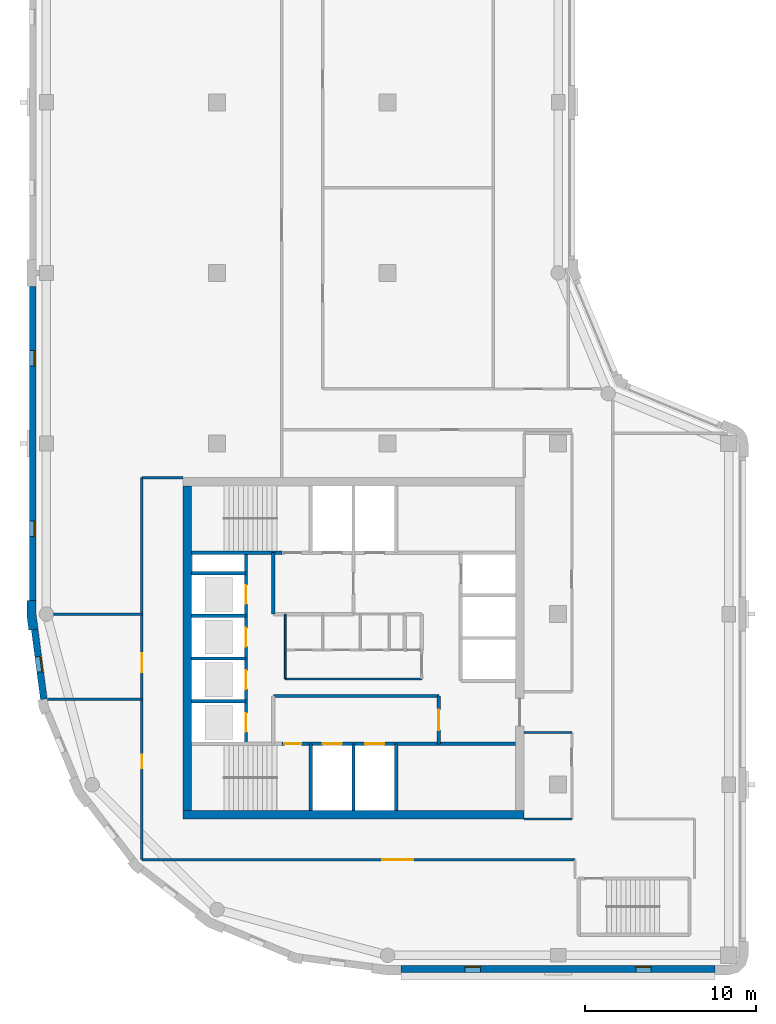
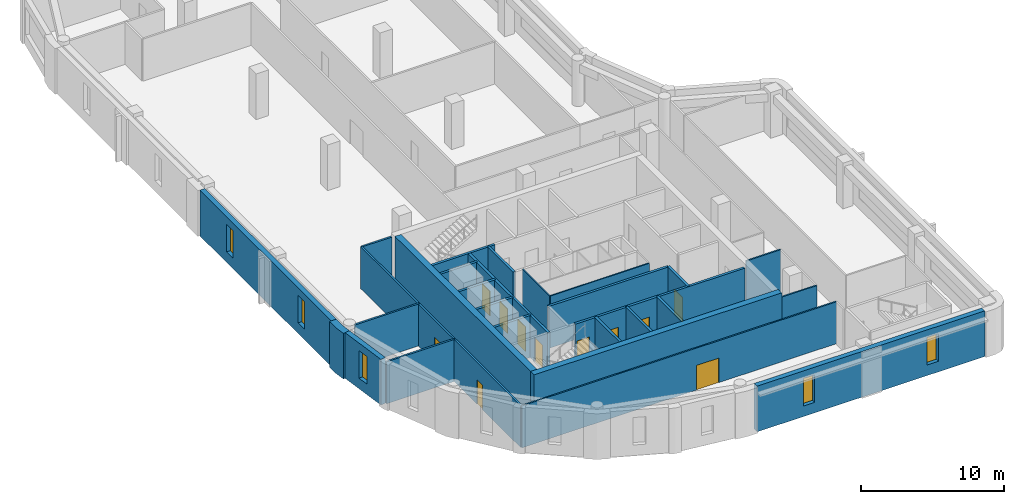
# One storey, part 2 of 8: 28 walls, 11 doors, 5 windows, 16 openings.
"""IFC4 building model written with IfcOpenShell, lengths in metres."""

from ifc_helpers import new_model, si_unit, direction, frame, frame_2d, origin, place, context, subcontext, project, spatial, polyline, rectangle, outline, extrude, material, layer, layer_set, type_object, element, fill, save


model = new_model("IFC4")

# Units and contexts
model_context = context("Model", 3, precision=1e-05, world=origin(), true_north=direction((0.0, 1.0)))
body_context = subcontext(model_context, "Body", "Model", "MODEL_VIEW")
ifc_project = project(units=[si_unit("LENGTHUNIT", "METRE"), si_unit("AREAUNIT", "SQUARE_METRE"), si_unit("VOLUMEUNIT", "CUBIC_METRE"), si_unit("PLANEANGLEUNIT", "RADIAN"), si_unit("MASSUNIT", "GRAM", prefix="KILO")], contexts=[model_context])

# Site, building, storey
site_placement = place(None, origin())
site = spatial("IfcSite", under=ifc_project, at=site_placement, CompositionType="ELEMENT")
building_placement = place(site_placement, origin())
building = spatial("IfcBuilding", under=site, at=building_placement, Name="Qaws Garden Tower", CompositionType="ELEMENT")
storey_placement = place(building_placement, frame((0.0, 0.0, 341.10009765625)))
storey = spatial("IfcBuildingStorey", under=building, at=storey_placement, Name="L83", CompositionType="ELEMENT", Elevation=341.10009765625)

# Wall, openings, windows
ifc_material_1 = material(Name="Clay facing brick masonry", Category="masonry")
ifc_layer_1 = layer(ifc_material_1, 0.39990234375)
ifc_layer_set_1 = layer_set([ifc_layer_1], Name="Clay facing brick masonry")
wall_type_1 = type_object("IfcWallType", Name="Brick infill wall 400", PredefinedType="SOLIDWALL", material=ifc_layer_set_1)
wall_1_placement = place(storey_placement, frame((20.800048828125, -0.800048828125, 0.0), z_axis=(0.0, 0.0, 1.0), x_axis=(1.0, 0.0, 0.0)))
wall_1 = element("IfcWall", 1, at=wall_1_placement, inside=storey, type_object=wall_type_1, Name="E-L83-infill-00", PredefinedType="SOLIDWALL", context=body_context, shape_type="SweptSolid", body=[
    extrude(rectangle(XDim=18.39990234375, YDim=0.39990234375, at=frame_2d((9.199951171875, 0.0))), origin(), (0.0, 0.0, 1.0), 3.89990234375),
])
opening_1_placement = place(wall_1_placement, frame((3.75, 0.0, 0.89990234375)))
opening_1 = element("IfcOpeningElement", 2, at=opening_1_placement, cuts=wall_1, Name="Opening W09", PredefinedType="OPENING", context=body_context, shape_type="SweptSolid", body=[
    extrude(rectangle(XDim=0.89990234375, YDim=2.35009765625, at=frame_2d((0.449951171875, 1.175048828125))), frame((0.0, 0.2099609375, 0.0), z_axis=(0.0, -1.0, 0.0), x_axis=(1.0, 0.0, 0.0)), (0.0, 0.0, 1.0), 0.419921875),
])
opening_2_placement = place(wall_1_placement, frame((13.75, 0.0, 0.89990234375)))
opening_2 = element("IfcOpeningElement", 3, at=opening_2_placement, cuts=wall_1, Name="Opening W09", PredefinedType="OPENING", context=body_context, shape_type="SweptSolid", body=[
    extrude(rectangle(XDim=0.89990234375, YDim=2.35009765625, at=frame_2d((0.449951171875, 1.175048828125))), frame((0.0, 0.2099609375, 0.0), z_axis=(0.0, -1.0, 0.0), x_axis=(1.0, 0.0, 0.0)), (0.0, 0.0, 1.0), 0.419921875),
])
ifc_material_2 = material(Name="Aluminium framed window, clear glazing", Category="aluminium")
window_type = type_object("IfcWindowType", Name="Slit window 900 x 2350", PartitioningType="SINGLE_PANEL", PredefinedType="WINDOW", material=ifc_material_2)
window_1_placement = place(opening_1_placement, origin())
window_1 = element("IfcWindow", 4, at=window_1_placement, inside=storey, type_object=window_type, Name="E-L83-window-00-0", OverallHeight=2.35009765625, OverallWidth=0.89990234375, PartitioningType="SINGLE_PANEL", PredefinedType="WINDOW", context=body_context, shape_type="SweptSolid", body=[
    extrude(rectangle(XDim=0.89990234375, YDim=2.35009765625, at=frame_2d((0.449951171875, 1.175048828125))), frame((0.0, 0.159912109375, 0.0), z_axis=(0.0, -1.0, 0.0), x_axis=(1.0, 0.0, 0.0)), (0.0, 0.0, 1.0), 0.06005859375),
])
fill(opening_1, window_1)
window_2_placement = place(opening_2_placement, origin())
window_2 = element("IfcWindow", 5, at=window_2_placement, inside=storey, type_object=window_type, Name="E-L83-window-01-0", OverallHeight=2.35009765625, OverallWidth=0.89990234375, PartitioningType="SINGLE_PANEL", PredefinedType="WINDOW", context=body_context, shape_type="SweptSolid", body=[
    extrude(rectangle(XDim=0.89990234375, YDim=2.35009765625, at=frame_2d((0.449951171875, 1.175048828125))), frame((0.0, 0.159912109375, 0.0), z_axis=(0.0, -1.0, 0.0), x_axis=(1.0, 0.0, 0.0)), (0.0, 0.0, 1.0), 0.06005859375),
])
fill(opening_2, window_2)

wall_2_placement = place(storey_placement, frame((-0.800048828125, 39.199951171875, 0.0), z_axis=(0.0, 0.0, 1.0), x_axis=(0.0, -1.0, 0.0)))
wall_2 = element("IfcWall", 6, at=wall_2_placement, inside=storey, type_object=wall_type_1, Name="E-L83-infill-19", PredefinedType="SOLIDWALL", context=body_context, shape_type="SweptSolid", body=[
    extrude(rectangle(XDim=18.39990234375, YDim=0.39990234375, at=frame_2d((9.199951171875, 0.0))), origin(), (0.0, 0.0, 1.0), 3.89990234375),
])
opening_3_placement = place(wall_2_placement, frame((3.75, 0.0, 0.89990234375)))
opening_3 = element("IfcOpeningElement", 7, at=opening_3_placement, cuts=wall_2, Name="Opening W09", PredefinedType="OPENING", context=body_context, shape_type="SweptSolid", body=[
    extrude(rectangle(XDim=0.89990234375, YDim=2.35009765625, at=frame_2d((0.449951171875, 1.175048828125))), frame((0.0, 0.2099609375, 0.0), z_axis=(0.0, -1.0, 0.0), x_axis=(1.0, 0.0, 0.0)), (0.0, 0.0, 1.0), 0.419921875),
])
opening_4_placement = place(wall_2_placement, frame((13.75, 0.0, 0.89990234375)))
opening_4 = element("IfcOpeningElement", 8, at=opening_4_placement, cuts=wall_2, Name="Opening W09", PredefinedType="OPENING", context=body_context, shape_type="SweptSolid", body=[
    extrude(rectangle(XDim=0.89990234375, YDim=2.35009765625, at=frame_2d((0.449951171875, 1.175048828125))), frame((0.0, 0.2099609375, 0.0), z_axis=(0.0, -1.0, 0.0), x_axis=(1.0, 0.0, 0.0)), (0.0, 0.0, 1.0), 0.419921875),
])
window_3_placement = place(opening_3_placement, origin())
window_3 = element("IfcWindow", 9, at=window_3_placement, inside=storey, type_object=window_type, Name="E-L83-window-19-0", OverallHeight=2.35009765625, OverallWidth=0.89990234375, PartitioningType="SINGLE_PANEL", PredefinedType="WINDOW", context=body_context, shape_type="SweptSolid", body=[
    extrude(rectangle(XDim=0.89990234375, YDim=2.35009765625, at=frame_2d((0.449951171875, 1.175048828125))), frame((0.0, 0.159912109375, 0.0), z_axis=(0.0, -1.0, 0.0), x_axis=(1.0, 0.0, 0.0)), (0.0, 0.0, 1.0), 0.06005859375),
])
fill(opening_3, window_3)
window_4_placement = place(opening_4_placement, origin())
window_4 = element("IfcWindow", 10, at=window_4_placement, inside=storey, type_object=window_type, Name="E-L83-window-20-0", OverallHeight=2.35009765625, OverallWidth=0.89990234375, PartitioningType="SINGLE_PANEL", PredefinedType="WINDOW", context=body_context, shape_type="SweptSolid", body=[
    extrude(rectangle(XDim=0.89990234375, YDim=2.35009765625, at=frame_2d((0.449951171875, 1.175048828125))), frame((0.0, 0.159912109375, 0.0), z_axis=(0.0, -1.0, 0.0), x_axis=(1.0, 0.0, 0.0)), (0.0, 0.0, 1.0), 0.06005859375),
])
fill(opening_4, window_4)

# Wall, opening, window
wall_3_placement = place(storey_placement, frame((-0.688720703125, 19.102294921875, 0.0), z_axis=(0.0, 0.0, 1.0), x_axis=(0.130514280502, -0.991446429508, 0.0)))
wall_3 = element("IfcWall", 11, at=wall_3_placement, inside=storey, type_object=wall_type_1, Name="E-L83-infill-21", PredefinedType="SOLIDWALL", context=body_context, shape_type="SweptSolid", body=[
    extrude(rectangle(XDim=4.120849609375, YDim=0.39990234375, at=frame_2d((2.060546875, 0.0))), origin(), (0.0, 0.0, 1.0), 3.89990234375),
])
opening_5_placement = place(wall_3_placement, frame((1.610595703125, 0.0, 0.89990234375)))
opening_5 = element("IfcOpeningElement", 12, at=opening_5_placement, cuts=wall_3, Name="Opening W09", PredefinedType="OPENING", context=body_context, shape_type="SweptSolid", body=[
    extrude(rectangle(XDim=0.89990234375, YDim=2.35009765625, at=frame_2d((0.449951171875, 1.175048828125))), frame((0.0, 0.2099609375, 0.0), z_axis=(0.0, -1.0, 0.0), x_axis=(1.0, 0.0, 0.0)), (0.0, 0.0, 1.0), 0.419921875),
])
window_5_placement = place(opening_5_placement, origin())
window_5 = element("IfcWindow", 13, at=window_5_placement, inside=storey, type_object=window_type, Name="E-L83-window-21-0", OverallHeight=2.35009765625, OverallWidth=0.89990234375, PartitioningType="SINGLE_PANEL", PredefinedType="WINDOW", context=body_context, shape_type="SweptSolid", body=[
    extrude(rectangle(XDim=0.89990234375, YDim=2.35009765625, at=frame_2d((0.449951171875, 1.175048828125))), frame((0.0, 0.159912109375, 0.0), z_axis=(0.0, -1.0, 0.0), x_axis=(1.0, 0.0, 0.0)), (0.0, 0.0, 1.0), 0.06005859375),
])
fill(opening_5, window_5)

# Walls
ifc_material_3 = material(Name="Clay facing brick masonry", Category="masonry")
ifc_layer_2 = layer(ifc_material_3, 0.550048828125)
ifc_layer_set_2 = layer_set([ifc_layer_2], Name="Clay facing brick masonry")
wall_type_2 = type_object("IfcWallType", Name="Brick pier 550 x 1600", PredefinedType="SOLIDWALL", material=ifc_layer_set_2)
wall_4_placement = place(storey_placement, origin())
element("IfcWall", 14, at=wall_4_placement, inside=storey, type_object=wall_type_2, Name="E-L83-pier-21", PredefinedType="SOLIDWALL", context=body_context, shape_type="SweptSolid", body=[
    extrude(outline(polyline([(-1.0, 20.800048828125), (-1.14990234375, 20.800048828125), (-1.14990234375, 19.924560546875), (-1.03564453125, 19.056640625), (-0.886962890625, 19.076416015625), (-0.490478515625, 19.12841796875), (-0.60009765625, 19.960693359375), (-0.60009765625, 20.800048828125), (-1.0, 20.800048828125)])), origin(), (0.0, 0.0, 1.0), 3.89990234375),
])
ifc_material_4 = material(Name="Plasterboard")
ifc_layer_3 = layer(ifc_material_4, 0.10009765625)
ifc_layer_set_3 = layer_set([ifc_layer_3], Name="Plasterboard")
wall_type_3 = type_object("IfcWallType", Name="Core partition 100", PredefinedType="PARTITIONING", material=ifc_layer_set_3)
wall_5_placement = place(storey_placement, frame((14.0, 16.199951171875, 0.0), z_axis=(0.0, 0.0, 1.0), x_axis=(1.0, 0.0, 0.0)))
element("IfcWall", 15, at=wall_5_placement, inside=storey, type_object=wall_type_3, Name="Core partition", PredefinedType="PARTITIONING", context=body_context, shape_type="SweptSolid", body=[
    extrude(rectangle(XDim=8.0, YDim=0.10009765625, at=frame_2d((4.0, 0.0))), origin(), (0.0, 0.0, 1.0), 3.579833984375),
])
wall_6_placement = place(storey_placement, frame((14.0, 16.199951171875, 0.0), z_axis=(0.0, 0.0, 1.0), x_axis=(0.0, 1.0, 0.0)))
element("IfcWall", 16, at=wall_6_placement, inside=storey, type_object=wall_type_3, Name="Core partition", PredefinedType="PARTITIONING", context=body_context, shape_type="SweptSolid", body=[
    extrude(rectangle(XDim=3.800048828125, YDim=0.10009765625, at=frame_2d((1.89990234375, 0.0))), origin(), (0.0, 0.0, 1.0), 3.579833984375),
])

# Wall, openings, doors
ifc_material_5 = material(Name="Concrete C60", Category="concrete")
ifc_layer_4 = layer(ifc_material_5, 0.199951171875)
ifc_layer_set_4 = layer_set([ifc_layer_4], Name="Concrete C60")
wall_type_4 = type_object("IfcWallType", Name="Core shaft wall 200 C60", PredefinedType="SHEAR", material=ifc_layer_set_4)
wall_7_placement = place(storey_placement, frame((13.800048828125, 12.39990234375, 0.0), z_axis=(0.0, 0.0, 1.0), x_axis=(1.0, 0.0, 0.0)))
wall_7 = element("IfcWall", 17, at=wall_7_placement, inside=storey, type_object=wall_type_4, Name="Shaft wall", PredefinedType="SHEAR", context=body_context, shape_type="SweptSolid", body=[
    extrude(rectangle(XDim=13.699951171875, YDim=0.199951171875, at=frame_2d((6.85009765625, 0.0))), origin(), (0.0, 0.0, 1.0), 3.579833984375),
])
opening_6_placement = place(wall_7_placement, frame((2.39990234375, 0.0, 0.0)))
opening_6 = element("IfcOpeningElement", 18, at=opening_6_placement, cuts=wall_7, Name="Opening LD06", PredefinedType="OPENING", context=body_context, shape_type="SweptSolid", body=[
    extrude(rectangle(XDim=1.10009765625, YDim=2.10009765625, at=frame_2d((0.550048828125, 1.050048828125))), frame((0.0, 0.10986328125, 0.0), z_axis=(0.0, -1.0, 0.0), x_axis=(1.0, 0.0, 0.0)), (0.0, 0.0, 1.0), 0.219970703125),
])
opening_7_placement = place(wall_7_placement, frame((4.89990234375, 0.0, 0.0)))
opening_7 = element("IfcOpeningElement", 19, at=opening_7_placement, cuts=wall_7, Name="Opening LD07", PredefinedType="OPENING", context=body_context, shape_type="SweptSolid", body=[
    extrude(rectangle(XDim=1.10009765625, YDim=2.10009765625, at=frame_2d((0.550048828125, 1.050048828125))), frame((0.0, 0.10986328125, 0.0), z_axis=(0.0, -1.0, 0.0), x_axis=(1.0, 0.0, 0.0)), (0.0, 0.0, 1.0), 0.219970703125),
])
opening_8_placement = place(wall_7_placement, frame((0.14990234375, 0.0, 0.0)))
opening_8 = element("IfcOpeningElement", 20, at=opening_8_placement, cuts=wall_7, Name="Opening SD10", PredefinedType="OPENING", context=body_context, shape_type="SweptSolid", body=[
    extrude(rectangle(XDim=1.0, YDim=2.10009765625, at=frame_2d((0.5, 1.050048828125))), frame((0.0, 0.10986328125, 0.0), z_axis=(0.0, -1.0, 0.0), x_axis=(1.0, 0.0, 0.0)), (0.0, 0.0, 1.0), 0.219970703125),
])
ifc_material_6 = material(Name="Steel S235", Category="steel")
door_type_1 = type_object("IfcDoorType", Name="Landing door 1100x2100", OperationType="DOUBLE_DOOR_SLIDING", PredefinedType="DOOR", material=ifc_material_6)
door_1_placement = place(opening_6_placement, origin())
door_1 = element("IfcDoor", 21, at=door_1_placement, inside=storey, type_object=door_type_1, Name="Lift FF1 landing door", OperationType="DOUBLE_DOOR_SLIDING", OverallHeight=2.10009765625, OverallWidth=1.10009765625, PredefinedType="DOOR", context=body_context, shape_type="SweptSolid", body=[
    extrude(rectangle(XDim=1.10009765625, YDim=2.10009765625, at=frame_2d((0.550048828125, 1.050048828125))), frame((0.0, 0.02490234375, 0.0), z_axis=(0.0, -1.0, 0.0), x_axis=(1.0, 0.0, 0.0)), (0.0, 0.0, 1.0), 0.050048828125),
])
fill(opening_6, door_1)
door_2_placement = place(opening_7_placement, origin())
door_2 = element("IfcDoor", 22, at=door_2_placement, inside=storey, type_object=door_type_1, Name="Lift FF2 landing door", OperationType="DOUBLE_DOOR_SLIDING", OverallHeight=2.10009765625, OverallWidth=1.10009765625, PredefinedType="DOOR", context=body_context, shape_type="SweptSolid", body=[
    extrude(rectangle(XDim=1.10009765625, YDim=2.10009765625, at=frame_2d((0.550048828125, 1.050048828125))), frame((0.0, 0.02490234375, 0.0), z_axis=(0.0, -1.0, 0.0), x_axis=(1.0, 0.0, 0.0)), (0.0, 0.0, 1.0), 0.050048828125),
])
fill(opening_7, door_2)
ifc_material_7 = material(Name="Steel S235", Category="steel")
door_type_2 = type_object("IfcDoorType", Name="Stair door 1000x2100", OperationType="SINGLE_SWING_RIGHT", PredefinedType="DOOR", material=ifc_material_7)
door_3_placement = place(opening_8_placement, frame((1.0, 0.0, 0.0), z_axis=(0.0, 0.0, 1.0), x_axis=(-1.0, 0.0, 0.0)))
door_3 = element("IfcDoor", 23, at=door_3_placement, inside=storey, type_object=door_type_2, Name="Stair 1 door", OperationType="SINGLE_SWING_LEFT", OverallHeight=2.10009765625, OverallWidth=1.0, PredefinedType="DOOR", context=body_context, shape_type="SweptSolid", body=[
    extrude(rectangle(XDim=1.0, YDim=2.10009765625, at=frame_2d((0.5, 1.050048828125))), frame((0.0, 0.02490234375, 0.0), z_axis=(0.0, -1.0, 0.0), x_axis=(1.0, 0.0, 0.0)), (0.0, 0.0, 1.0), 0.050048828125),
])
fill(opening_8, door_3)

# Walls
wall_8_placement = place(storey_placement, frame((8.5, 14.89990234375, 0.0), z_axis=(0.0, 0.0, 1.0), x_axis=(1.0, 0.0, 0.0)))
element("IfcWall", 24, at=wall_8_placement, inside=storey, type_object=wall_type_4, Name="Shaft wall", PredefinedType="SHEAR", context=body_context, shape_type="SweptSolid", body=[
    extrude(rectangle(XDim=3.199951171875, YDim=0.199951171875, at=frame_2d((1.60009765625, 0.0))), origin(), (0.0, 0.0, 1.0), 3.579833984375),
])
wall_9_placement = place(storey_placement, frame((13.300048828125, 15.199951171875, 0.0), z_axis=(0.0, 0.0, 1.0), x_axis=(1.0, 0.0, 0.0)))
element("IfcWall", 25, at=wall_9_placement, inside=storey, type_object=wall_type_4, Name="Shaft wall", PredefinedType="SHEAR", context=body_context, shape_type="SweptSolid", body=[
    extrude(rectangle(XDim=9.699951171875, YDim=0.199951171875, at=frame_2d((4.85009765625, 0.0))), origin(), (0.0, 0.0, 1.0), 3.579833984375),
])
for number, where, z_axis, x_axis, name in (
    (26, (8.5, 17.39990234375, 0.0), (0.0, 0.0, 1.0), (1.0, 0.0, 0.0), "Shaft wall"),
    (27, (8.5, 19.89990234375, 0.0), (0.0, 0.0, 1.0), (1.0, 0.0, 0.0), "Shaft wall"),
    (28, (8.5, 22.39990234375, 0.0), (0.0, 0.0, 1.0), (1.0, 0.0, 0.0), "Shaft wall"),
):
    element("IfcWall", number, at=place(storey_placement, frame(where, z_axis=z_axis, x_axis=x_axis)), inside=storey, type_object=wall_type_4, Name=name, PredefinedType="SHEAR", context=body_context, shape_type="SweptSolid", body=[
        extrude(rectangle(XDim=3.199951171875, YDim=0.199951171875, at=frame_2d((1.60009765625, 0.0))), origin(), (0.0, 0.0, 1.0), 3.579833984375),
    ])
wall_10_placement = place(storey_placement, frame((8.5, 23.60009765625, 0.0), z_axis=(0.0, 0.0, 1.0), x_axis=(1.0, 0.0, 0.0)))
element("IfcWall", 29, at=wall_10_placement, inside=storey, type_object=wall_type_4, Name="Shaft wall", PredefinedType="SHEAR", context=body_context, shape_type="SweptSolid", body=[
    extrude(rectangle(XDim=5.300048828125, YDim=0.199951171875, at=frame_2d((2.64990234375, 0.0))), origin(), (0.0, 0.0, 1.0), 3.579833984375),
])

# Wall, openings, doors
wall_11_placement = place(storey_placement, frame((11.699951171875, 12.39990234375, 0.0), z_axis=(0.0, 0.0, 1.0), x_axis=(0.0, 1.0, 0.0)))
wall_11 = element("IfcWall", 30, at=wall_11_placement, inside=storey, type_object=wall_type_4, Name="Shaft wall", PredefinedType="SHEAR", context=body_context, shape_type="SweptSolid", body=[
    extrude(rectangle(XDim=11.2001953125, YDim=0.199951171875, at=frame_2d((5.60009765625, 0.0))), origin(), (0.0, 0.0, 1.0), 3.579833984375),
])
opening_9_placement = place(wall_11_placement, frame((0.699951171875, 0.0, 0.0)))
opening_9 = element("IfcOpeningElement", 31, at=opening_9_placement, cuts=wall_11, Name="Opening LD01", PredefinedType="OPENING", context=body_context, shape_type="SweptSolid", body=[
    extrude(rectangle(XDim=1.10009765625, YDim=2.10009765625, at=frame_2d((0.550048828125, 1.050048828125))), frame((0.0, 0.10986328125, 0.0), z_axis=(0.0, -1.0, 0.0), x_axis=(1.0, 0.0, 0.0)), (0.0, 0.0, 1.0), 0.219970703125),
])
opening_10_placement = place(wall_11_placement, frame((3.199951171875, 0.0, 0.0)))
opening_10 = element("IfcOpeningElement", 32, at=opening_10_placement, cuts=wall_11, Name="Opening LD02", PredefinedType="OPENING", context=body_context, shape_type="SweptSolid", body=[
    extrude(rectangle(XDim=1.10009765625, YDim=2.10009765625, at=frame_2d((0.550048828125, 1.050048828125))), frame((0.0, 0.10986328125, 0.0), z_axis=(0.0, -1.0, 0.0), x_axis=(1.0, 0.0, 0.0)), (0.0, 0.0, 1.0), 0.219970703125),
])
opening_11_placement = place(wall_11_placement, frame((5.699951171875, 0.0, 0.0)))
opening_11 = element("IfcOpeningElement", 33, at=opening_11_placement, cuts=wall_11, Name="Opening LD03", PredefinedType="OPENING", context=body_context, shape_type="SweptSolid", body=[
    extrude(rectangle(XDim=1.10009765625, YDim=2.10009765625, at=frame_2d((0.550048828125, 1.050048828125))), frame((0.0, 0.10986328125, 0.0), z_axis=(0.0, -1.0, 0.0), x_axis=(1.0, 0.0, 0.0)), (0.0, 0.0, 1.0), 0.219970703125),
])
opening_12_placement = place(wall_11_placement, frame((8.199951171875, 0.0, 0.0)))
opening_12 = element("IfcOpeningElement", 34, at=opening_12_placement, cuts=wall_11, Name="Opening LD04", PredefinedType="OPENING", context=body_context, shape_type="SweptSolid", body=[
    extrude(rectangle(XDim=1.10009765625, YDim=2.10009765625, at=frame_2d((0.550048828125, 1.050048828125))), frame((0.0, 0.10986328125, 0.0), z_axis=(0.0, -1.0, 0.0), x_axis=(1.0, 0.0, 0.0)), (0.0, 0.0, 1.0), 0.219970703125),
])
door_4_placement = place(opening_9_placement, origin())
door_4 = element("IfcDoor", 35, at=door_4_placement, inside=storey, type_object=door_type_1, Name="Lift W1 landing door", OperationType="DOUBLE_DOOR_SLIDING", OverallHeight=2.10009765625, OverallWidth=1.10009765625, PredefinedType="DOOR", context=body_context, shape_type="SweptSolid", body=[
    extrude(rectangle(XDim=1.10009765625, YDim=2.10009765625, at=frame_2d((0.550048828125, 1.050048828125))), frame((0.0, 0.02490234375, 0.0), z_axis=(0.0, -1.0, 0.0), x_axis=(1.0, 0.0, 0.0)), (0.0, 0.0, 1.0), 0.050048828125),
])
fill(opening_9, door_4)
door_5_placement = place(opening_10_placement, origin())
door_5 = element("IfcDoor", 36, at=door_5_placement, inside=storey, type_object=door_type_1, Name="Lift W2 landing door", OperationType="DOUBLE_DOOR_SLIDING", OverallHeight=2.10009765625, OverallWidth=1.10009765625, PredefinedType="DOOR", context=body_context, shape_type="SweptSolid", body=[
    extrude(rectangle(XDim=1.10009765625, YDim=2.10009765625, at=frame_2d((0.550048828125, 1.050048828125))), frame((0.0, 0.02490234375, 0.0), z_axis=(0.0, -1.0, 0.0), x_axis=(1.0, 0.0, 0.0)), (0.0, 0.0, 1.0), 0.050048828125),
])
fill(opening_10, door_5)
door_6_placement = place(opening_11_placement, origin())
door_6 = element("IfcDoor", 37, at=door_6_placement, inside=storey, type_object=door_type_1, Name="Lift W3 landing door", OperationType="DOUBLE_DOOR_SLIDING", OverallHeight=2.10009765625, OverallWidth=1.10009765625, PredefinedType="DOOR", context=body_context, shape_type="SweptSolid", body=[
    extrude(rectangle(XDim=1.10009765625, YDim=2.10009765625, at=frame_2d((0.550048828125, 1.050048828125))), frame((0.0, 0.02490234375, 0.0), z_axis=(0.0, -1.0, 0.0), x_axis=(1.0, 0.0, 0.0)), (0.0, 0.0, 1.0), 0.050048828125),
])
fill(opening_11, door_6)
door_7_placement = place(opening_12_placement, origin())
door_7 = element("IfcDoor", 38, at=door_7_placement, inside=storey, type_object=door_type_1, Name="Lift W4 landing door", OperationType="DOUBLE_DOOR_SLIDING", OverallHeight=2.10009765625, OverallWidth=1.10009765625, PredefinedType="DOOR", context=body_context, shape_type="SweptSolid", body=[
    extrude(rectangle(XDim=1.10009765625, YDim=2.10009765625, at=frame_2d((0.550048828125, 1.050048828125))), frame((0.0, 0.02490234375, 0.0), z_axis=(0.0, -1.0, 0.0), x_axis=(1.0, 0.0, 0.0)), (0.0, 0.0, 1.0), 0.050048828125),
])
fill(opening_12, door_7)

# Walls
wall_12_placement = place(storey_placement, frame((13.300048828125, 20.0, 0.0), z_axis=(0.0, 0.0, 1.0), x_axis=(0.0, 1.0, 0.0)))
element("IfcWall", 39, at=wall_12_placement, inside=storey, type_object=wall_type_4, Name="Shaft wall", PredefinedType="SHEAR", context=body_context, shape_type="SweptSolid", body=[
    extrude(rectangle(XDim=3.60009765625, YDim=0.199951171875, at=frame_2d((1.800048828125, 0.0))), origin(), (0.0, 0.0, 1.0), 3.579833984375),
])
for number, where, z_axis, x_axis, name in (
    (40, (15.5, 8.5, 0.0), (0.0, 0.0, 1.0), (0.0, 1.0, 0.0), "Shaft wall"),
    (41, (18.0, 8.5, 0.0), (0.0, 0.0, 1.0), (0.0, 1.0, 0.0), "Shaft wall"),
    (42, (20.5, 8.5, 0.0), (0.0, 0.0, 1.0), (0.0, 1.0, 0.0), "Shaft wall"),
):
    element("IfcWall", number, at=place(storey_placement, frame(where, z_axis=z_axis, x_axis=x_axis)), inside=storey, type_object=wall_type_4, Name=name, PredefinedType="SHEAR", context=body_context, shape_type="SweptSolid", body=[
        extrude(rectangle(XDim=3.89990234375, YDim=0.199951171875, at=frame_2d((1.949951171875, 0.0))), origin(), (0.0, 0.0, 1.0), 3.579833984375),
    ])

# Wall, opening, door
wall_13_placement = place(storey_placement, frame((23.0, 12.39990234375, 0.0), z_axis=(0.0, 0.0, 1.0), x_axis=(0.0, 1.0, 0.0)))
wall_13 = element("IfcWall", 43, at=wall_13_placement, inside=storey, type_object=wall_type_4, Name="Shaft wall", PredefinedType="SHEAR", context=body_context, shape_type="SweptSolid", body=[
    extrude(rectangle(XDim=2.800048828125, YDim=0.199951171875, at=frame_2d((1.39990234375, 0.0))), origin(), (0.0, 0.0, 1.0), 3.579833984375),
])
opening_13_placement = place(wall_13_placement, frame((0.800048828125, 0.0, 0.0)))
opening_13 = element("IfcOpeningElement", 44, at=opening_13_placement, cuts=wall_13, Name="Opening FD15", PredefinedType="OPENING", context=body_context, shape_type="SweptSolid", body=[
    extrude(rectangle(XDim=1.199951171875, YDim=2.10009765625, at=frame_2d((0.60009765625, 1.050048828125))), frame((0.0, 0.10986328125, 0.0), z_axis=(0.0, -1.0, 0.0), x_axis=(1.0, 0.0, 0.0)), (0.0, 0.0, 1.0), 0.219970703125),
])
ifc_material_8 = material(Name="Steel S235", Category="steel")
door_type_3 = type_object("IfcDoorType", Name="Lobby door 1200x2100", OperationType="DOUBLE_DOOR_SINGLE_SWING", PredefinedType="DOOR", material=ifc_material_8)
door_8_placement = place(opening_13_placement, origin())
door_8 = element("IfcDoor", 45, at=door_8_placement, inside=storey, type_object=door_type_3, Name="Fire-fighting lobby door", OperationType="DOUBLE_DOOR_SINGLE_SWING", OverallHeight=2.10009765625, OverallWidth=1.199951171875, PredefinedType="DOOR", context=body_context, shape_type="SweptSolid", body=[
    extrude(rectangle(XDim=1.199951171875, YDim=2.10009765625, at=frame_2d((0.60009765625, 1.050048828125))), frame((0.0, 0.02490234375, 0.0), z_axis=(0.0, -1.0, 0.0), x_axis=(1.0, 0.0, 0.0)), (0.0, 0.0, 1.0), 0.050048828125),
])
fill(opening_13, door_8)

# Walls
ifc_material_9 = material(Name="Concrete C60", Category="concrete")
ifc_layer_5 = layer(ifc_material_9, 0.5)
ifc_layer_set_5 = layer_set([ifc_layer_5], Name="Concrete C60")
wall_type_5 = type_object("IfcWallType", Name="Core wall 500 C60", PredefinedType="SHEAR", material=ifc_layer_set_5)
wall_14_placement = place(storey_placement, frame((8.0, 8.25, 0.0), z_axis=(0.0, 0.0, 1.0), x_axis=(1.0, 0.0, 0.0)))
element("IfcWall", 46, at=wall_14_placement, inside=storey, type_object=wall_type_5, Name="Core wall L83 south", PredefinedType="SHEAR", context=body_context, shape_type="SweptSolid", body=[
    extrude(rectangle(XDim=20.0, YDim=0.5, at=frame_2d((10.0, 0.0))), origin(), (0.0, 0.0, 1.0), 3.89990234375),
])
wall_15_placement = place(storey_placement, frame((8.25, 27.5, 0.0), z_axis=(0.0, 0.0, 1.0), x_axis=(0.0, -1.0, 0.0)))
element("IfcWall", 47, at=wall_15_placement, inside=storey, type_object=wall_type_5, Name="Core wall L83 west", PredefinedType="SHEAR", context=body_context, shape_type="SweptSolid", body=[
    extrude(rectangle(XDim=19.0, YDim=0.5, at=frame_2d((9.5, 0.0))), origin(), (0.0, 0.0, 1.0), 3.89990234375),
])

# Wall, opening, door
ifc_material_10 = material(Name="Glass and aluminium framing", Category="aluminium")
ifc_layer_6 = layer(ifc_material_10, 0.1201171875)
ifc_layer_set_6 = layer_set([ifc_layer_6], Name="Glass and aluminium framing")
wall_type_6 = type_object("IfcWallType", Name="GLAZED PARTITION 120 EI 30", PredefinedType="PARTITIONING", material=ifc_layer_set_6)
wall_16_placement = place(storey_placement, frame((5.60009765625, 5.60009765625, 0.0), z_axis=(0.0, 0.0, 1.0), x_axis=(1.0, 0.0, 0.0)))
wall_16 = element("IfcWall", 48, at=wall_16_placement, inside=storey, type_object=wall_type_6, Name="O-L83-wall-034", PredefinedType="PARTITIONING", context=body_context, shape_type="SweptSolid", body=[
    extrude(rectangle(XDim=25.39990234375, YDim=0.1201171875, at=frame_2d((12.699951171875, 0.0))), origin(), (0.0, 0.0, 1.0), 3.579833984375),
])
opening_14_placement = place(wall_16_placement, frame((14.10009765625, 0.0, 0.0)))
opening_14 = element("IfcOpeningElement", 49, at=opening_14_placement, cuts=wall_16, Name="Opening C1006", PredefinedType="OPENING", context=body_context, shape_type="SweptSolid", body=[
    extrude(rectangle(XDim=1.800048828125, YDim=2.10009765625, at=frame_2d((0.89990234375, 1.050048828125))), frame((0.0, 0.070068359375, 0.0), z_axis=(0.0, -1.0, 0.0), x_axis=(1.0, 0.0, 0.0)), (0.0, 0.0, 1.0), 0.14013671875),
])
ifc_material_11 = material(Name="Timber door leaf", Category="wood")
door_type_4 = type_object("IfcDoorType", Name="DOUBLE DOOR 1800 X 2100", OperationType="DOUBLE_DOOR_SINGLE_SWING", PredefinedType="DOOR", material=ifc_material_11)
door_9_placement = place(opening_14_placement, frame((1.800048828125, 0.0, 0.0), z_axis=(0.0, 0.0, 1.0), x_axis=(-1.0, 0.0, 0.0)))
door_9 = element("IfcDoor", 50, at=door_9_placement, inside=storey, type_object=door_type_4, Name="O-L83-door-006", OperationType="DOUBLE_DOOR_SINGLE_SWING", OverallHeight=2.10009765625, OverallWidth=1.800048828125, PredefinedType="DOOR", context=body_context, shape_type="SweptSolid", body=[
    extrude(rectangle(XDim=1.800048828125, YDim=2.10009765625, at=frame_2d((0.89990234375, 1.050048828125))), frame((0.0, 0.02490234375, 0.0), z_axis=(0.0, -1.0, 0.0), x_axis=(1.0, 0.0, 0.0)), (0.0, 0.0, 1.0), 0.050048828125),
])
fill(opening_14, door_9)

# Walls
for number, where, z_axis, x_axis, name in (
    (51, (28.0, 8.0, 0.0), (0.0, 0.0, 1.0), (1.0, 0.0, 0.0), "O-L83-wall-035"),
    (52, (28.0, 13.050048828125, 0.0), (0.0, 0.0, 1.0), (1.0, 0.0, 0.0), "O-L83-wall-037"),
):
    element("IfcWall", number, at=place(storey_placement, frame(where, z_axis=z_axis, x_axis=x_axis)), inside=storey, type_object=wall_type_6, Name=name, PredefinedType="PARTITIONING", context=body_context, shape_type="SweptSolid", body=[
        extrude(rectangle(XDim=2.800048828125, YDim=0.1201171875, at=frame_2d((1.39990234375, 0.0))), origin(), (0.0, 0.0, 1.0), 3.579833984375),
    ])

# Wall, openings, doors
ifc_material_12 = material(Name="Gypsum board partition")
ifc_layer_7 = layer(ifc_material_12, 0.14990234375)
ifc_layer_set_7 = layer_set([ifc_layer_7], Name="Gypsum board partition")
wall_type_7 = type_object("IfcWallType", Name="PARTITION 150 EI 60", PredefinedType="PARTITIONING", material=ifc_layer_set_7)
wall_17_placement = place(storey_placement, frame((5.60009765625, 5.60009765625, 0.0), z_axis=(0.0, 0.0, 1.0), x_axis=(0.0, 1.0, 0.0)))
wall_17 = element("IfcWall", 53, at=wall_17_placement, inside=storey, type_object=wall_type_7, Name="O-L83-wall-004", PredefinedType="PARTITIONING", context=body_context, shape_type="SweptSolid", body=[
    extrude(rectangle(XDim=22.39990234375, YDim=0.14990234375, at=frame_2d((11.199951171875, 0.0))), origin(), (0.0, 0.0, 1.0), 3.579833984375),
])
opening_15_placement = place(wall_17_placement, frame((5.35009765625, 0.0, 0.0)))
opening_15 = element("IfcOpeningElement", 54, at=opening_15_placement, cuts=wall_17, Name="Opening C1001", PredefinedType="OPENING", context=body_context, shape_type="SweptSolid", body=[
    extrude(rectangle(XDim=0.800048828125, YDim=2.10009765625, at=frame_2d((0.39990234375, 1.050048828125))), frame((0.0, 0.0849609375, 0.0), z_axis=(0.0, -1.0, 0.0), x_axis=(1.0, 0.0, 0.0)), (0.0, 0.0, 1.0), 0.169921875),
])
opening_16_placement = place(wall_17_placement, frame((11.0, 0.0, 0.0)))
opening_16 = element("IfcOpeningElement", 55, at=opening_16_placement, cuts=wall_17, Name="Opening C1002", PredefinedType="OPENING", context=body_context, shape_type="SweptSolid", body=[
    extrude(rectangle(XDim=1.10009765625, YDim=2.10009765625, at=frame_2d((0.550048828125, 1.050048828125))), frame((0.0, 0.0849609375, 0.0), z_axis=(0.0, -1.0, 0.0), x_axis=(1.0, 0.0, 0.0)), (0.0, 0.0, 1.0), 0.169921875),
])
ifc_material_13 = material(Name="Timber door leaf", Category="wood")
door_type_5 = type_object("IfcDoorType", Name="SERVICE ROOM DOOR 1100 X 2100", OperationType="SINGLE_SWING_LEFT", PredefinedType="DOOR", material=ifc_material_13)
door_10_placement = place(opening_16_placement, origin())
door_10 = element("IfcDoor", 56, at=door_10_placement, inside=storey, type_object=door_type_5, Name="O-L83-door-002", OperationType="SINGLE_SWING_RIGHT", OverallHeight=2.10009765625, OverallWidth=1.10009765625, PredefinedType="DOOR", context=body_context, shape_type="SweptSolid", body=[
    extrude(rectangle(XDim=1.10009765625, YDim=2.10009765625, at=frame_2d((0.550048828125, 1.050048828125))), frame((0.0, 0.02490234375, 0.0), z_axis=(0.0, -1.0, 0.0), x_axis=(1.0, 0.0, 0.0)), (0.0, 0.0, 1.0), 0.050048828125),
])
fill(opening_16, door_10)
ifc_material_14 = material(Name="Timber door leaf", Category="wood")
door_type_6 = type_object("IfcDoorType", Name="STORE DOOR 800 X 2100", OperationType="SINGLE_SWING_LEFT", PredefinedType="DOOR", material=ifc_material_14)
door_11_placement = place(opening_15_placement, origin())
door_11 = element("IfcDoor", 57, at=door_11_placement, inside=storey, type_object=door_type_6, Name="O-L83-door-001", OperationType="SINGLE_SWING_RIGHT", OverallHeight=2.10009765625, OverallWidth=0.800048828125, PredefinedType="DOOR", context=body_context, shape_type="SweptSolid", body=[
    extrude(rectangle(XDim=0.800048828125, YDim=2.10009765625, at=frame_2d((0.39990234375, 1.050048828125))), frame((0.0, 0.02490234375, 0.0), z_axis=(0.0, -1.0, 0.0), x_axis=(1.0, 0.0, 0.0)), (0.0, 0.0, 1.0), 0.050048828125),
])
fill(opening_15, door_11)

# Walls
wall_18_placement = place(storey_placement, frame((0.06298828125, 15.0, 0.0), z_axis=(0.0, 0.0, 1.0), x_axis=(1.0, 0.0, 0.0)))
element("IfcWall", 58, at=wall_18_placement, inside=storey, type_object=wall_type_7, Name="O-L83-wall-013", PredefinedType="PARTITIONING", context=body_context, shape_type="SweptSolid", body=[
    extrude(rectangle(XDim=5.537109375, YDim=0.14990234375, at=frame_2d((2.7685546875, 0.0))), origin(), (0.0, 0.0, 1.0), 3.579833984375),
])
wall_19_placement = place(storey_placement, frame((0.425048828125, 20.0, 0.0), z_axis=(0.0, 0.0, 1.0), x_axis=(1.0, 0.0, 0.0)))
element("IfcWall", 59, at=wall_19_placement, inside=storey, type_object=wall_type_7, Name="O-L83-wall-014", PredefinedType="PARTITIONING", context=body_context, shape_type="SweptSolid", body=[
    extrude(rectangle(XDim=5.175048828125, YDim=0.14990234375, at=frame_2d((2.58740234375, 0.0))), origin(), (0.0, 0.0, 1.0), 3.579833984375),
])
wall_20_placement = place(storey_placement, frame((5.60009765625, 28.0, 0.0), z_axis=(0.0, 0.0, 1.0), x_axis=(1.0, 0.0, 0.0)))
element("IfcWall", 60, at=wall_20_placement, inside=storey, type_object=wall_type_7, Name="O-L83-wall-015", PredefinedType="PARTITIONING", context=body_context, shape_type="SweptSolid", body=[
    extrude(rectangle(XDim=2.39990234375, YDim=0.14990234375, at=frame_2d((1.199951171875, 0.0))), origin(), (0.0, 0.0, 1.0), 3.579833984375),
])

save(model, "model.ifc")
